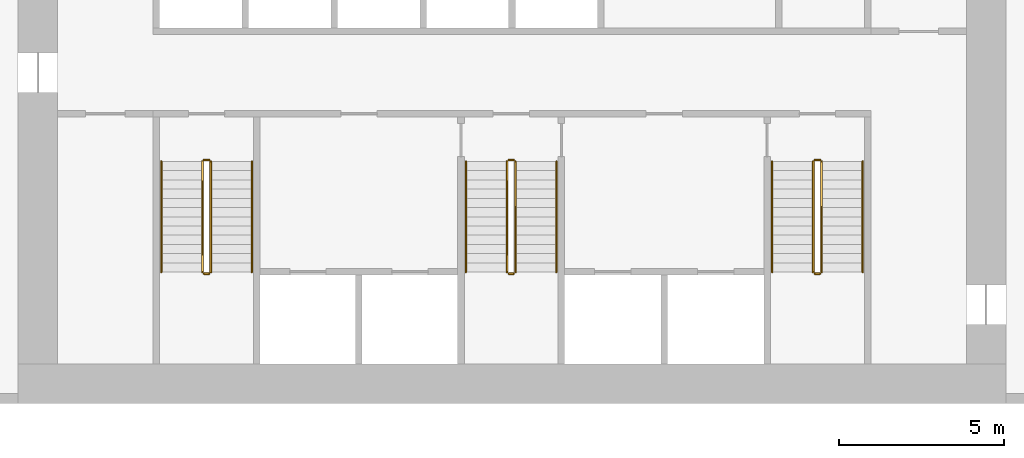
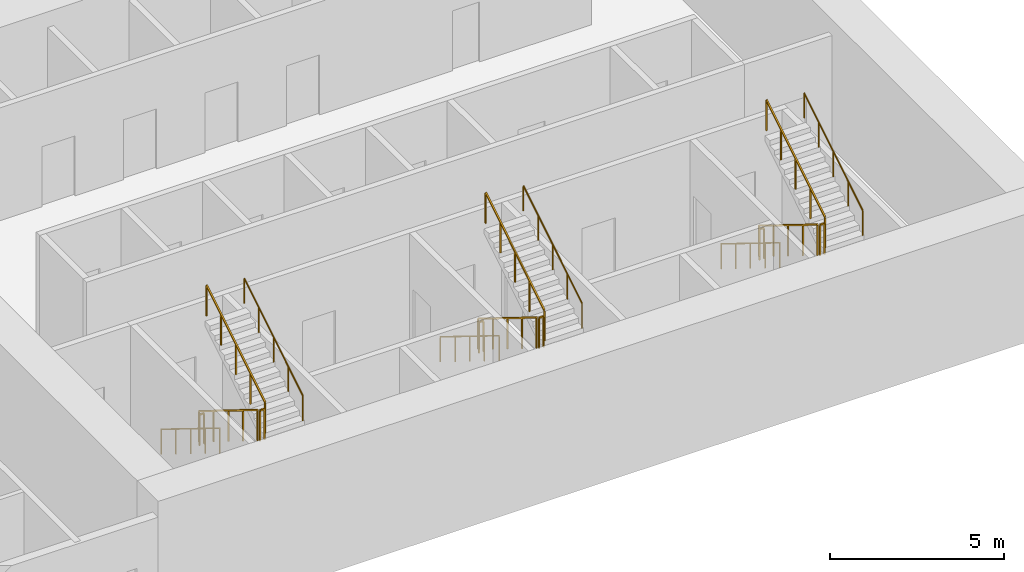
# One storey, part 11 of 12: 18 railings.
"""IFC4 building model written with IfcOpenShell, lengths in metres."""

from ifc_helpers import new_model, si_unit, direction, frame, origin, origin_2d, place, context, subcontext, project, spatial, rectangle, circle, extrude, material, type_object, element, save


model = new_model("IFC4")

# Units and contexts
model_context = context("Model", 3, precision=1e-05, world=origin(), true_north=direction((0.0, 1.0)))
body_context = subcontext(model_context, "Body", "Model", "MODEL_VIEW")
ifc_project = project(units=[si_unit("LENGTHUNIT", "METRE"), si_unit("AREAUNIT", "SQUARE_METRE"), si_unit("VOLUMEUNIT", "CUBIC_METRE"), si_unit("PLANEANGLEUNIT", "RADIAN"), si_unit("MASSUNIT", "GRAM", prefix="KILO")], contexts=[model_context])

# Site, building, storey
site_placement = place(None, origin())
site = spatial("IfcSite", under=ifc_project, at=site_placement, CompositionType="ELEMENT")
building_placement = place(site_placement, origin())
building = spatial("IfcBuilding", under=site, at=building_placement, Name="Mangrove Gate Tower", CompositionType="ELEMENT")
storey_placement = place(building_placement, frame((0.0, 0.0, 16.0)))
storey = spatial("IfcBuildingStorey", under=building, at=storey_placement, Name="L03", CompositionType="ELEMENT", Elevation=16.0)

# Railings
ifc_material_1 = material(Name="Stainless steel 316", Category="steel")
railing_type_1 = type_object("IfcRailingType", Name="Core stair guard 1100", PredefinedType="GUARDRAIL", material=ifc_material_1)
railing_1_placement = place(storey_placement, frame((-9.39990234375, -4.64990234375, 0.173095703125)))
element("IfcRailing", 1, at=railing_1_placement, inside=storey, type_object=railing_type_1, Name="L03 ST1 stair guard 1", PredefinedType="GUARDRAIL", context=body_context, shape_type="SweptSolid", body=[
    extrude(rectangle(XDim=0.048095703125, YDim=0.048095703125, at=origin_2d()), frame((0.0, 0.0, 1.076171875), z_axis=(0.0, -0.850623216509, 0.525775754039), x_axis=(1.0, 0.0, 0.0)), (0.0, 0.0, 1.0), 3.9501953125),
    extrude(rectangle(XDim=0.0419921875, YDim=0.0419921875, at=origin_2d()), origin(), (0.0, 0.0, 1.0), 1.052001953125),
    extrude(rectangle(XDim=0.0419921875, YDim=0.0419921875, at=origin_2d()), frame((0.0, -0.840087890625, 0.519287109375)), (0.0, 0.0, 1.0), 1.052001953125),
    extrude(rectangle(XDim=0.0419921875, YDim=0.0419921875, at=origin_2d()), frame((0.0, -1.68017578125, 1.03857421875)), (0.0, 0.0, 1.0), 1.052001953125),
    extrude(rectangle(XDim=0.0419921875, YDim=0.0419921875, at=origin_2d()), frame((0.0, -2.52001953125, 1.5576171875)), (0.0, 0.0, 1.0), 1.052001953125),
    extrude(rectangle(XDim=0.0419921875, YDim=0.0419921875, at=origin_2d()), frame((0.0, -3.360107421875, 2.076904296875)), (0.0, 0.0, 1.0), 1.052001953125),
])
railing_2_placement = place(storey_placement, frame((-9.35009765625, -8.06005859375, 2.25)))
element("IfcRailing", 2, at=railing_2_placement, inside=storey, type_object=railing_type_1, Name="L03 ST1 stair guard 2", PredefinedType="GUARDRAIL", context=body_context, shape_type="SweptSolid", body=[
    extrude(rectangle(XDim=0.048095703125, YDim=0.048095703125, at=origin_2d()), frame((0.0, 0.0, 1.076171875), z_axis=(1.0, 0.0, 0.0), x_axis=(0.0, 1.0, 0.0)), (0.0, 0.0, 1.0), 0.150146484375),
    extrude(rectangle(XDim=0.0419921875, YDim=0.0419921875, at=origin_2d()), origin(), (0.0, 0.0, 1.0), 1.052001953125),
    extrude(rectangle(XDim=0.0419921875, YDim=0.0419921875, at=origin_2d()), frame((0.150146484375, 0.0, 0.0)), (0.0, 0.0, 1.0), 1.052001953125),
])
railing_3_placement = place(storey_placement, frame((-9.14990234375, -8.010009765625, 2.423095703125)))
element("IfcRailing", 3, at=railing_3_placement, inside=storey, type_object=railing_type_1, Name="L03 ST1 stair guard 3", PredefinedType="GUARDRAIL", context=body_context, shape_type="SweptSolid", body=[
    extrude(rectangle(XDim=0.048095703125, YDim=0.048095703125, at=origin_2d()), frame((0.0, 0.0, 1.076171875), z_axis=(0.0, 0.850623216509, 0.525775754039), x_axis=(-1.0, 0.0, 0.0)), (0.0, 0.0, 1.0), 3.9501953125),
    extrude(rectangle(XDim=0.0419921875, YDim=0.0419921875, at=origin_2d()), origin(), (0.0, 0.0, 1.0), 1.052001953125),
    extrude(rectangle(XDim=0.0419921875, YDim=0.0419921875, at=origin_2d()), frame((0.0, 0.840087890625, 0.519287109375)), (0.0, 0.0, 1.0), 1.052001953125),
    extrude(rectangle(XDim=0.0419921875, YDim=0.0419921875, at=origin_2d()), frame((0.0, 1.68017578125, 1.03857421875)), (0.0, 0.0, 1.0), 1.052001953125),
    extrude(rectangle(XDim=0.0419921875, YDim=0.0419921875, at=origin_2d()), frame((0.0, 2.52001953125, 1.5576171875)), (0.0, 0.0, 1.0), 1.052001953125),
    extrude(rectangle(XDim=0.0419921875, YDim=0.0419921875, at=origin_2d()), frame((0.0, 3.360107421875, 2.076904296875)), (0.0, 0.0, 1.0), 1.052001953125),
])
railing_4_placement = place(storey_placement, frame((-9.35009765625, -4.60009765625, 0.0)))
element("IfcRailing", 4, at=railing_4_placement, inside=storey, type_object=railing_type_1, Name="L03 ST1 stair guard 4", PredefinedType="GUARDRAIL", context=body_context, shape_type="SweptSolid", body=[
    extrude(rectangle(XDim=0.048095703125, YDim=0.048095703125, at=origin_2d()), frame((0.0, 0.0, 1.076171875), z_axis=(1.0, 0.0, 0.0), x_axis=(0.0, 1.0, 0.0)), (0.0, 0.0, 1.0), 0.150146484375),
    extrude(rectangle(XDim=0.0419921875, YDim=0.0419921875, at=origin_2d()), origin(), (0.0, 0.0, 1.0), 1.052001953125),
    extrude(rectangle(XDim=0.0419921875, YDim=0.0419921875, at=origin_2d()), frame((0.150146484375, 0.0, 0.0)), (0.0, 0.0, 1.0), 1.052001953125),
])
railing_5_placement = place(storey_placement, frame((-0.14990234375, -4.64990234375, 0.173095703125)))
element("IfcRailing", 5, at=railing_5_placement, inside=storey, type_object=railing_type_1, Name="L03 ST2 stair guard 1", PredefinedType="GUARDRAIL", context=body_context, shape_type="SweptSolid", body=[
    extrude(rectangle(XDim=0.048095703125, YDim=0.048095703125, at=origin_2d()), frame((0.0, 0.0, 1.076171875), z_axis=(0.0, -0.850623216509, 0.525775754039), x_axis=(1.0, 0.0, 0.0)), (0.0, 0.0, 1.0), 3.9501953125),
    extrude(rectangle(XDim=0.0419921875, YDim=0.0419921875, at=origin_2d()), origin(), (0.0, 0.0, 1.0), 1.052001953125),
    extrude(rectangle(XDim=0.0419921875, YDim=0.0419921875, at=origin_2d()), frame((0.0, -0.840087890625, 0.519287109375)), (0.0, 0.0, 1.0), 1.052001953125),
    extrude(rectangle(XDim=0.0419921875, YDim=0.0419921875, at=origin_2d()), frame((0.0, -1.68017578125, 1.03857421875)), (0.0, 0.0, 1.0), 1.052001953125),
    extrude(rectangle(XDim=0.0419921875, YDim=0.0419921875, at=origin_2d()), frame((0.0, -2.52001953125, 1.5576171875)), (0.0, 0.0, 1.0), 1.052001953125),
    extrude(rectangle(XDim=0.0419921875, YDim=0.0419921875, at=origin_2d()), frame((0.0, -3.360107421875, 2.076904296875)), (0.0, 0.0, 1.0), 1.052001953125),
])
railing_6_placement = place(storey_placement, frame((-0.10009765625, -8.06005859375, 2.25)))
element("IfcRailing", 6, at=railing_6_placement, inside=storey, type_object=railing_type_1, Name="L03 ST2 stair guard 2", PredefinedType="GUARDRAIL", context=body_context, shape_type="SweptSolid", body=[
    extrude(rectangle(XDim=0.048095703125, YDim=0.048095703125, at=origin_2d()), frame((0.0, 0.0, 1.076171875), z_axis=(1.0, 0.0, 0.0), x_axis=(0.0, 1.0, 0.0)), (0.0, 0.0, 1.0), 0.150146484375),
    extrude(rectangle(XDim=0.0419921875, YDim=0.0419921875, at=origin_2d()), origin(), (0.0, 0.0, 1.0), 1.052001953125),
    extrude(rectangle(XDim=0.0419921875, YDim=0.0419921875, at=origin_2d()), frame((0.150146484375, 0.0, 0.0)), (0.0, 0.0, 1.0), 1.052001953125),
])
railing_7_placement = place(storey_placement, frame((0.10009765625, -8.010009765625, 2.423095703125)))
element("IfcRailing", 7, at=railing_7_placement, inside=storey, type_object=railing_type_1, Name="L03 ST2 stair guard 3", PredefinedType="GUARDRAIL", context=body_context, shape_type="SweptSolid", body=[
    extrude(rectangle(XDim=0.048095703125, YDim=0.048095703125, at=origin_2d()), frame((0.0, 0.0, 1.076171875), z_axis=(0.0, 0.850623216509, 0.525775754039), x_axis=(-1.0, 0.0, 0.0)), (0.0, 0.0, 1.0), 3.9501953125),
    extrude(rectangle(XDim=0.0419921875, YDim=0.0419921875, at=origin_2d()), origin(), (0.0, 0.0, 1.0), 1.052001953125),
    extrude(rectangle(XDim=0.0419921875, YDim=0.0419921875, at=origin_2d()), frame((0.0, 0.840087890625, 0.519287109375)), (0.0, 0.0, 1.0), 1.052001953125),
    extrude(rectangle(XDim=0.0419921875, YDim=0.0419921875, at=origin_2d()), frame((0.0, 1.68017578125, 1.03857421875)), (0.0, 0.0, 1.0), 1.052001953125),
    extrude(rectangle(XDim=0.0419921875, YDim=0.0419921875, at=origin_2d()), frame((0.0, 2.52001953125, 1.5576171875)), (0.0, 0.0, 1.0), 1.052001953125),
    extrude(rectangle(XDim=0.0419921875, YDim=0.0419921875, at=origin_2d()), frame((0.0, 3.360107421875, 2.076904296875)), (0.0, 0.0, 1.0), 1.052001953125),
])
railing_8_placement = place(storey_placement, frame((-0.10009765625, -4.60009765625, 0.0)))
element("IfcRailing", 8, at=railing_8_placement, inside=storey, type_object=railing_type_1, Name="L03 ST2 stair guard 4", PredefinedType="GUARDRAIL", context=body_context, shape_type="SweptSolid", body=[
    extrude(rectangle(XDim=0.048095703125, YDim=0.048095703125, at=origin_2d()), frame((0.0, 0.0, 1.076171875), z_axis=(1.0, 0.0, 0.0), x_axis=(0.0, 1.0, 0.0)), (0.0, 0.0, 1.0), 0.150146484375),
    extrude(rectangle(XDim=0.0419921875, YDim=0.0419921875, at=origin_2d()), origin(), (0.0, 0.0, 1.0), 1.052001953125),
    extrude(rectangle(XDim=0.0419921875, YDim=0.0419921875, at=origin_2d()), frame((0.150146484375, 0.0, 0.0)), (0.0, 0.0, 1.0), 1.052001953125),
])
railing_9_placement = place(storey_placement, frame((9.14990234375, -4.64990234375, 0.173095703125)))
element("IfcRailing", 9, at=railing_9_placement, inside=storey, type_object=railing_type_1, Name="L03 ST3 stair guard 1", PredefinedType="GUARDRAIL", context=body_context, shape_type="SweptSolid", body=[
    extrude(rectangle(XDim=0.048095703125, YDim=0.048095703125, at=origin_2d()), frame((0.0, 0.0, 1.076171875), z_axis=(0.0, -0.850623216509, 0.525775754039), x_axis=(1.0, 0.0, 0.0)), (0.0, 0.0, 1.0), 3.9501953125),
    extrude(rectangle(XDim=0.0419921875, YDim=0.0419921875, at=origin_2d()), origin(), (0.0, 0.0, 1.0), 1.052001953125),
    extrude(rectangle(XDim=0.0419921875, YDim=0.0419921875, at=origin_2d()), frame((0.0, -0.840087890625, 0.519287109375)), (0.0, 0.0, 1.0), 1.052001953125),
    extrude(rectangle(XDim=0.0419921875, YDim=0.0419921875, at=origin_2d()), frame((0.0, -1.68017578125, 1.03857421875)), (0.0, 0.0, 1.0), 1.052001953125),
    extrude(rectangle(XDim=0.0419921875, YDim=0.0419921875, at=origin_2d()), frame((0.0, -2.52001953125, 1.5576171875)), (0.0, 0.0, 1.0), 1.052001953125),
    extrude(rectangle(XDim=0.0419921875, YDim=0.0419921875, at=origin_2d()), frame((0.0, -3.360107421875, 2.076904296875)), (0.0, 0.0, 1.0), 1.052001953125),
])
railing_10_placement = place(storey_placement, frame((9.199951171875, -8.06005859375, 2.25)))
element("IfcRailing", 10, at=railing_10_placement, inside=storey, type_object=railing_type_1, Name="L03 ST3 stair guard 2", PredefinedType="GUARDRAIL", context=body_context, shape_type="SweptSolid", body=[
    extrude(rectangle(XDim=0.048095703125, YDim=0.048095703125, at=origin_2d()), frame((0.0, 0.0, 1.076171875), z_axis=(1.0, 0.0, 0.0), x_axis=(0.0, 1.0, 0.0)), (0.0, 0.0, 1.0), 0.150146484375),
    extrude(rectangle(XDim=0.0419921875, YDim=0.0419921875, at=origin_2d()), origin(), (0.0, 0.0, 1.0), 1.052001953125),
    extrude(rectangle(XDim=0.0419921875, YDim=0.0419921875, at=origin_2d()), frame((0.150146484375, 0.0, 0.0)), (0.0, 0.0, 1.0), 1.052001953125),
])
railing_11_placement = place(storey_placement, frame((9.39990234375, -8.010009765625, 2.423095703125)))
element("IfcRailing", 11, at=railing_11_placement, inside=storey, type_object=railing_type_1, Name="L03 ST3 stair guard 3", PredefinedType="GUARDRAIL", context=body_context, shape_type="SweptSolid", body=[
    extrude(rectangle(XDim=0.048095703125, YDim=0.048095703125, at=origin_2d()), frame((0.0, 0.0, 1.076171875), z_axis=(0.0, 0.850623216509, 0.525775754039), x_axis=(-1.0, 0.0, 0.0)), (0.0, 0.0, 1.0), 3.9501953125),
    extrude(rectangle(XDim=0.0419921875, YDim=0.0419921875, at=origin_2d()), origin(), (0.0, 0.0, 1.0), 1.052001953125),
    extrude(rectangle(XDim=0.0419921875, YDim=0.0419921875, at=origin_2d()), frame((0.0, 0.840087890625, 0.519287109375)), (0.0, 0.0, 1.0), 1.052001953125),
    extrude(rectangle(XDim=0.0419921875, YDim=0.0419921875, at=origin_2d()), frame((0.0, 1.68017578125, 1.03857421875)), (0.0, 0.0, 1.0), 1.052001953125),
    extrude(rectangle(XDim=0.0419921875, YDim=0.0419921875, at=origin_2d()), frame((0.0, 2.52001953125, 1.5576171875)), (0.0, 0.0, 1.0), 1.052001953125),
    extrude(rectangle(XDim=0.0419921875, YDim=0.0419921875, at=origin_2d()), frame((0.0, 3.360107421875, 2.076904296875)), (0.0, 0.0, 1.0), 1.052001953125),
])
railing_12_placement = place(storey_placement, frame((9.199951171875, -4.60009765625, 0.0)))
element("IfcRailing", 12, at=railing_12_placement, inside=storey, type_object=railing_type_1, Name="L03 ST3 stair guard 4", PredefinedType="GUARDRAIL", context=body_context, shape_type="SweptSolid", body=[
    extrude(rectangle(XDim=0.048095703125, YDim=0.048095703125, at=origin_2d()), frame((0.0, 0.0, 1.076171875), z_axis=(1.0, 0.0, 0.0), x_axis=(0.0, 1.0, 0.0)), (0.0, 0.0, 1.0), 0.150146484375),
    extrude(rectangle(XDim=0.0419921875, YDim=0.0419921875, at=origin_2d()), origin(), (0.0, 0.0, 1.0), 1.052001953125),
    extrude(rectangle(XDim=0.0419921875, YDim=0.0419921875, at=origin_2d()), frame((0.150146484375, 0.0, 0.0)), (0.0, 0.0, 1.0), 1.052001953125),
])
ifc_material_2 = material(Name="Stainless steel 316", Category="steel")
railing_type_2 = type_object("IfcRailingType", Name="Core stair handrail 900", PredefinedType="HANDRAIL", material=ifc_material_2)
railing_13_placement = place(storey_placement, frame((-10.64990234375, -4.64990234375, 0.173095703125)))
element("IfcRailing", 13, at=railing_13_placement, inside=storey, type_object=railing_type_2, Name="L03 ST1 stair handrail 1", PredefinedType="HANDRAIL", context=body_context, shape_type="SweptSolid", body=[
    extrude(circle(Radius=0.02392578125, at=origin_2d()), frame((0.0, 0.0, 0.8759765625), z_axis=(0.0, -0.850623216509, 0.525775754039), x_axis=(1.0, 0.0, 0.0)), (0.0, 0.0, 1.0), 3.9501953125),
    extrude(circle(Radius=0.02099609375, at=origin_2d()), origin(), (0.0, 0.0, 1.0), 0.851806640625),
    extrude(circle(Radius=0.02099609375, at=origin_2d()), frame((0.0, -0.840087890625, 0.519287109375)), (0.0, 0.0, 1.0), 0.851806640625),
    extrude(circle(Radius=0.02099609375, at=origin_2d()), frame((0.0, -1.68017578125, 1.03857421875)), (0.0, 0.0, 1.0), 0.851806640625),
    extrude(circle(Radius=0.02099609375, at=origin_2d()), frame((0.0, -2.52001953125, 1.5576171875)), (0.0, 0.0, 1.0), 0.851806640625),
    extrude(circle(Radius=0.02099609375, at=origin_2d()), frame((0.0, -3.360107421875, 2.076904296875)), (0.0, 0.0, 1.0), 0.851806640625),
])
railing_14_placement = place(storey_placement, frame((-7.89990234375, -8.010009765625, 2.423095703125)))
element("IfcRailing", 14, at=railing_14_placement, inside=storey, type_object=railing_type_2, Name="L03 ST1 stair handrail 2", PredefinedType="HANDRAIL", context=body_context, shape_type="SweptSolid", body=[
    extrude(circle(Radius=0.02392578125, at=origin_2d()), frame((0.0, 0.0, 0.8759765625), z_axis=(0.0, 0.850623216509, 0.525775754039), x_axis=(-1.0, 0.0, 0.0)), (0.0, 0.0, 1.0), 3.9501953125),
    extrude(circle(Radius=0.02099609375, at=origin_2d()), origin(), (0.0, 0.0, 1.0), 0.851806640625),
    extrude(circle(Radius=0.02099609375, at=origin_2d()), frame((0.0, 0.840087890625, 0.519287109375)), (0.0, 0.0, 1.0), 0.851806640625),
    extrude(circle(Radius=0.02099609375, at=origin_2d()), frame((0.0, 1.68017578125, 1.03857421875)), (0.0, 0.0, 1.0), 0.851806640625),
    extrude(circle(Radius=0.02099609375, at=origin_2d()), frame((0.0, 2.52001953125, 1.5576171875)), (0.0, 0.0, 1.0), 0.851806640625),
    extrude(circle(Radius=0.02099609375, at=origin_2d()), frame((0.0, 3.360107421875, 2.076904296875)), (0.0, 0.0, 1.0), 0.851806640625),
])
railing_15_placement = place(storey_placement, frame((-1.39990234375, -4.64990234375, 0.173095703125)))
element("IfcRailing", 15, at=railing_15_placement, inside=storey, type_object=railing_type_2, Name="L03 ST2 stair handrail 1", PredefinedType="HANDRAIL", context=body_context, shape_type="SweptSolid", body=[
    extrude(circle(Radius=0.02392578125, at=origin_2d()), frame((0.0, 0.0, 0.8759765625), z_axis=(0.0, -0.850623216509, 0.525775754039), x_axis=(1.0, 0.0, 0.0)), (0.0, 0.0, 1.0), 3.9501953125),
    extrude(circle(Radius=0.02099609375, at=origin_2d()), origin(), (0.0, 0.0, 1.0), 0.851806640625),
    extrude(circle(Radius=0.02099609375, at=origin_2d()), frame((0.0, -0.840087890625, 0.519287109375)), (0.0, 0.0, 1.0), 0.851806640625),
    extrude(circle(Radius=0.02099609375, at=origin_2d()), frame((0.0, -1.68017578125, 1.03857421875)), (0.0, 0.0, 1.0), 0.851806640625),
    extrude(circle(Radius=0.02099609375, at=origin_2d()), frame((0.0, -2.52001953125, 1.5576171875)), (0.0, 0.0, 1.0), 0.851806640625),
    extrude(circle(Radius=0.02099609375, at=origin_2d()), frame((0.0, -3.360107421875, 2.076904296875)), (0.0, 0.0, 1.0), 0.851806640625),
])
railing_16_placement = place(storey_placement, frame((1.35009765625, -8.010009765625, 2.423095703125)))
element("IfcRailing", 16, at=railing_16_placement, inside=storey, type_object=railing_type_2, Name="L03 ST2 stair handrail 2", PredefinedType="HANDRAIL", context=body_context, shape_type="SweptSolid", body=[
    extrude(circle(Radius=0.02392578125, at=origin_2d()), frame((0.0, 0.0, 0.8759765625), z_axis=(0.0, 0.850623216509, 0.525775754039), x_axis=(-1.0, 0.0, 0.0)), (0.0, 0.0, 1.0), 3.9501953125),
    extrude(circle(Radius=0.02099609375, at=origin_2d()), origin(), (0.0, 0.0, 1.0), 0.851806640625),
    extrude(circle(Radius=0.02099609375, at=origin_2d()), frame((0.0, 0.840087890625, 0.519287109375)), (0.0, 0.0, 1.0), 0.851806640625),
    extrude(circle(Radius=0.02099609375, at=origin_2d()), frame((0.0, 1.68017578125, 1.03857421875)), (0.0, 0.0, 1.0), 0.851806640625),
    extrude(circle(Radius=0.02099609375, at=origin_2d()), frame((0.0, 2.52001953125, 1.5576171875)), (0.0, 0.0, 1.0), 0.851806640625),
    extrude(circle(Radius=0.02099609375, at=origin_2d()), frame((0.0, 3.360107421875, 2.076904296875)), (0.0, 0.0, 1.0), 0.851806640625),
])
railing_17_placement = place(storey_placement, frame((7.89990234375, -4.64990234375, 0.173095703125)))
element("IfcRailing", 17, at=railing_17_placement, inside=storey, type_object=railing_type_2, Name="L03 ST3 stair handrail 1", PredefinedType="HANDRAIL", context=body_context, shape_type="SweptSolid", body=[
    extrude(circle(Radius=0.02392578125, at=origin_2d()), frame((0.0, 0.0, 0.8759765625), z_axis=(0.0, -0.850623216509, 0.525775754039), x_axis=(1.0, 0.0, 0.0)), (0.0, 0.0, 1.0), 3.9501953125),
    extrude(circle(Radius=0.02099609375, at=origin_2d()), origin(), (0.0, 0.0, 1.0), 0.851806640625),
    extrude(circle(Radius=0.02099609375, at=origin_2d()), frame((0.0, -0.840087890625, 0.519287109375)), (0.0, 0.0, 1.0), 0.851806640625),
    extrude(circle(Radius=0.02099609375, at=origin_2d()), frame((0.0, -1.68017578125, 1.03857421875)), (0.0, 0.0, 1.0), 0.851806640625),
    extrude(circle(Radius=0.02099609375, at=origin_2d()), frame((0.0, -2.52001953125, 1.5576171875)), (0.0, 0.0, 1.0), 0.851806640625),
    extrude(circle(Radius=0.02099609375, at=origin_2d()), frame((0.0, -3.360107421875, 2.076904296875)), (0.0, 0.0, 1.0), 0.851806640625),
])
railing_18_placement = place(storey_placement, frame((10.64990234375, -8.010009765625, 2.423095703125)))
element("IfcRailing", 18, at=railing_18_placement, inside=storey, type_object=railing_type_2, Name="L03 ST3 stair handrail 2", PredefinedType="HANDRAIL", context=body_context, shape_type="SweptSolid", body=[
    extrude(circle(Radius=0.02392578125, at=origin_2d()), frame((0.0, 0.0, 0.8759765625), z_axis=(0.0, 0.850623216509, 0.525775754039), x_axis=(-1.0, 0.0, 0.0)), (0.0, 0.0, 1.0), 3.9501953125),
    extrude(circle(Radius=0.02099609375, at=origin_2d()), origin(), (0.0, 0.0, 1.0), 0.851806640625),
    extrude(circle(Radius=0.02099609375, at=origin_2d()), frame((0.0, 0.840087890625, 0.519287109375)), (0.0, 0.0, 1.0), 0.851806640625),
    extrude(circle(Radius=0.02099609375, at=origin_2d()), frame((0.0, 1.68017578125, 1.03857421875)), (0.0, 0.0, 1.0), 0.851806640625),
    extrude(circle(Radius=0.02099609375, at=origin_2d()), frame((0.0, 2.52001953125, 1.5576171875)), (0.0, 0.0, 1.0), 0.851806640625),
    extrude(circle(Radius=0.02099609375, at=origin_2d()), frame((0.0, 3.360107421875, 2.076904296875)), (0.0, 0.0, 1.0), 0.851806640625),
])

save(model, "model.ifc")
